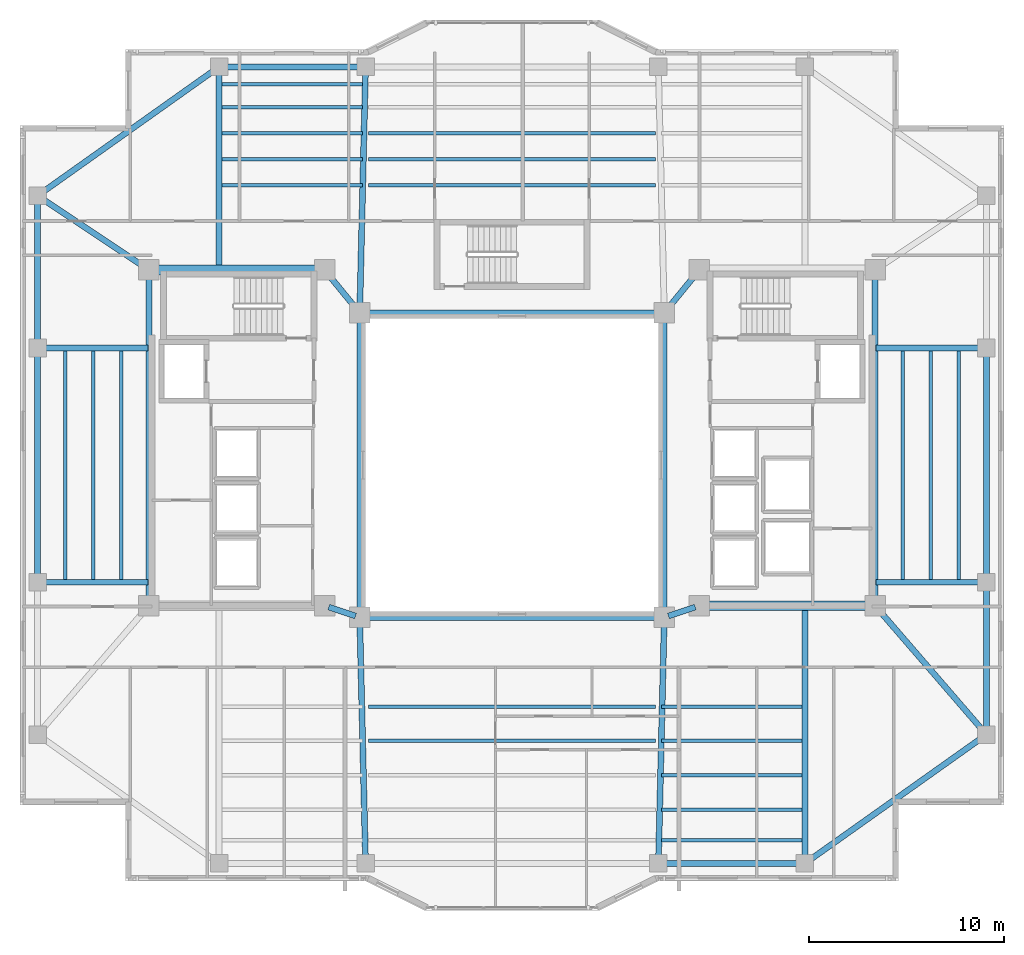
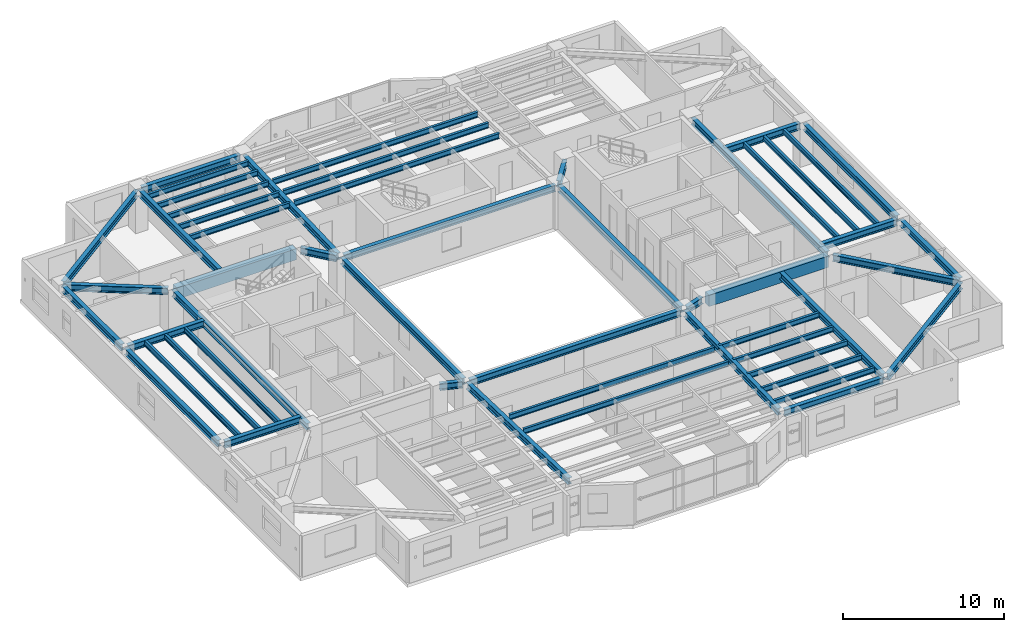
# One storey, part 3 of 15: 52 beams.
"""IFC4 building model written with IfcOpenShell, lengths in metres."""

from ifc_helpers import new_model, si_unit, direction, frame, origin, origin_2d, place, context, subcontext, project, spatial, rectangle, i_section, extrude, material, material_profile, profile_set, type_object, element, save


model = new_model("IFC4")

# Units and contexts
model_context = context("Model", 3, precision=1e-05, world=origin(), true_north=direction((0.0, 1.0)))
body_context = subcontext(model_context, "Body", "Model", "MODEL_VIEW")
ifc_project = project(units=[si_unit("LENGTHUNIT", "METRE"), si_unit("AREAUNIT", "SQUARE_METRE"), si_unit("VOLUMEUNIT", "CUBIC_METRE"), si_unit("PLANEANGLEUNIT", "RADIAN"), si_unit("MASSUNIT", "GRAM", prefix="KILO")], contexts=[model_context])

# Site, building, storey
site_placement = place(None, origin())
site = spatial("IfcSite", under=ifc_project, at=site_placement, CompositionType="ELEMENT")
building_placement = place(site_placement, origin())
building = spatial("IfcBuilding", under=site, at=building_placement, Name="Tarnavaz Court Tower", CompositionType="ELEMENT")
storey_placement = place(building_placement, frame((0.0, 0.0, 142.64990234375)))
storey = spatial("IfcBuildingStorey", under=building, at=storey_placement, Name="L38", CompositionType="ELEMENT", Elevation=142.64990234375)

# Beams
ifc_material_1 = material(Name="Concrete C50/60", Category="concrete")
ifc_material_profile_1 = material_profile(ifc_material_1, rectangle(XDim=0.5, YDim=0.85009765625, at=origin_2d()), Name="RC 500X850")
ifc_profile_set_1 = profile_set([ifc_material_profile_1], Name="Concrete C50/60")
beam_type_1 = type_object("IfcBeamType", Name="BM-CB850", PredefinedType="LINTEL", material=ifc_profile_set_1)
for number, where, z_axis, x_axis, name in (
    (1, (-18.3798828125, 10.0, 2.675048828125), (1.0, 0.0, 0.0), (0.0, 1.0, 0.0), "L38 Beam IN-CW-NO-CW-NI"),
    (2, (18.3798828125, -7.199951171875, 2.675048828125), (-1.0, 0.0, 0.0), (0.0, -1.0, 0.0), "L38 Beam IN-CE-SO-CE-SI"),
):
    element("IfcBeam", number, at=place(storey_placement, frame(where, z_axis=z_axis, x_axis=x_axis)), inside=storey, type_object=beam_type_1, Name=name, PredefinedType="LINTEL", context=body_context, shape_type="SweptSolid", body=[
        extrude(rectangle(XDim=0.5, YDim=0.85009765625, at=origin_2d()), origin(), (0.0, 0.0, 1.0), 8.559814453125),
    ])
ifc_material_2 = material(Name="Steel S355", Category="steel")
ifc_material_profile_2 = material_profile(ifc_material_2, i_section(OverallWidth=0.300048828125, OverallDepth=0.5, WebThickness=0.014404296875, FlangeThickness=0.028076171875, FilletRadius=0.027099609375, at=origin_2d()), Name="HEB 500")
ifc_profile_set_2 = profile_set([ifc_material_profile_2], Name="Steel S355")
beam_type_2 = type_object("IfcBeamType", Name="BM-G-HEB500", PredefinedType="USERDEFINED", material=ifc_profile_set_2)
for number, where, z_axis, x_axis, name in (
    (3, (-9.391357421875, -7.26953125, 2.85009765625), (0.948666544706, -0.316278021615, 0.0), (0.316278021615, 0.948666544706, 0.0), "L38 Beam IN-CW-SI-IW-SW"),
    (4, (9.391357421875, -7.26953125, 2.85009765625), (-0.948666544706, -0.316278021615, 0.0), (0.316278021615, -0.948666544706, 0.0), "L38 Beam IN-CE-SI-IW-SE"),
):
    element("IfcBeam", number, at=place(storey_placement, frame(where, z_axis=z_axis, x_axis=x_axis)), inside=storey, type_object=beam_type_2, Name=name, ObjectType="GIRDER", PredefinedType="USERDEFINED", context=body_context, shape_type="SweptSolid", body=[
        extrude(i_section(OverallWidth=0.300048828125, OverallDepth=0.5, WebThickness=0.014404296875, FlangeThickness=0.028076171875, FilletRadius=0.027099609375, at=origin_2d()), origin(), (0.0, 0.0, 1.0), 1.457275390625),
    ])
for number, where, z_axis, x_axis, name in (
    (5, (-9.460693359375, 9.82958984375, 2.85009765625), (0.633282058357, -0.773921077735, 0.0), (0.773921077735, 0.633282058357, 0.0), "L38 Beam IN-CW-NI-IW-NW"),
    (6, (9.460693359375, 9.82958984375, 2.85009765625), (-0.633282058357, -0.773921077735, 0.0), (0.773921077735, -0.633282058357, 0.0), "L38 Beam IN-CE-NI-IW-NE"),
):
    element("IfcBeam", number, at=place(storey_placement, frame(where, z_axis=z_axis, x_axis=x_axis)), inside=storey, type_object=beam_type_2, Name=name, ObjectType="GIRDER", PredefinedType="USERDEFINED", context=body_context, shape_type="SweptSolid", body=[
        extrude(i_section(OverallWidth=0.300048828125, OverallDepth=0.5, WebThickness=0.014404296875, FlangeThickness=0.028076171875, FilletRadius=0.027099609375, at=origin_2d()), origin(), (0.0, 0.0, 1.0), 2.402587890625),
    ])
for number, where, z_axis, x_axis, name in (
    (7, (-18.60009765625, -6.97998046875, 2.85009765625), (0.0, 1.0, 0.0), (-1.0, 0.0, 0.0), "L38 Beam IN-CW-SO-CW-NO"),
    (8, (18.60009765625, -6.97998046875, 2.85009765625), (0.0, 1.0, 0.0), (-1.0, 0.0, 0.0), "L38 Beam IN-CE-SO-CE-NO"),
):
    element("IfcBeam", number, at=place(storey_placement, frame(where, z_axis=z_axis, x_axis=x_axis)), inside=storey, type_object=beam_type_2, Name=name, ObjectType="GIRDER", PredefinedType="USERDEFINED", context=body_context, shape_type="SweptSolid", body=[
        extrude(i_section(OverallWidth=0.300048828125, OverallDepth=0.5, WebThickness=0.014404296875, FlangeThickness=0.028076171875, FilletRadius=0.027099609375, at=origin_2d()), origin(), (0.0, 0.0, 1.0), 16.760009765625),
    ])
beam_1_placement = place(storey_placement, frame((-15.0, 10.0400390625, 2.85009765625), z_axis=(0.0, 1.0, 0.0), x_axis=(-1.0, 0.0, 0.0)))
element("IfcBeam", 9, at=beam_1_placement, inside=storey, type_object=beam_type_2, Name="L38 Beam RG-01", ObjectType="GIRDER", PredefinedType="USERDEFINED", context=body_context, shape_type="SweptSolid", body=[
    extrude(i_section(OverallWidth=0.300048828125, OverallDepth=0.5, WebThickness=0.014404296875, FlangeThickness=0.028076171875, FilletRadius=0.027099609375, at=origin_2d()), origin(), (0.0, 0.0, 1.0), 10.139892578125),
])
for number, where, z_axis, x_axis, name in (
    (10, (-7.794921875, 8.02001953125, 2.85009765625), (0.023824748444, 0.999716150395, 0.0), (-0.999716150395, 0.023824748444, 0.0), "L38 Beam RG-02"),
    (11, (-7.794921875, -8.02001953125, 2.85009765625), (0.023824748444, -0.999716150395, 0.0), (0.999716150395, 0.023824748444, 0.0), "L38 Beam RG-06"),
    (12, (7.794921875, -8.02001953125, 2.85009765625), (-0.023824748444, -0.999716150395, 0.0), (0.999716150395, -0.023824748444, 0.0), "L38 Beam RG-07"),
):
    element("IfcBeam", number, at=place(storey_placement, frame(where, z_axis=z_axis, x_axis=x_axis)), inside=storey, type_object=beam_type_2, Name=name, ObjectType="GIRDER", PredefinedType="USERDEFINED", context=body_context, shape_type="SweptSolid", body=[
        extrude(i_section(OverallWidth=0.300048828125, OverallDepth=0.5, WebThickness=0.014404296875, FlangeThickness=0.028076171875, FilletRadius=0.027099609375, at=origin_2d()), origin(), (0.0, 0.0, 1.0), 12.16357421875),
    ])
beam_2_placement = place(storey_placement, frame((15.0, -7.239990234375, 2.85009765625), z_axis=(0.0, -1.0, 0.0), x_axis=(1.0, 0.0, 0.0)))
element("IfcBeam", 13, at=beam_2_placement, inside=storey, type_object=beam_type_2, Name="L38 Beam RG-08", ObjectType="GIRDER", PredefinedType="USERDEFINED", context=body_context, shape_type="SweptSolid", body=[
    extrude(i_section(OverallWidth=0.300048828125, OverallDepth=0.5, WebThickness=0.014404296875, FlangeThickness=0.028076171875, FilletRadius=0.027099609375, at=origin_2d()), origin(), (0.0, 0.0, 1.0), 12.93994140625),
])
for number, where, z_axis, x_axis, name in (
    (14, (18.639892578125, -6.0, 2.85009765625), (1.0, 0.0, 0.0), (0.0, 1.0, 0.0), "L38 Beam RG-09"),
    (15, (18.639892578125, 6.0, 2.85009765625), (1.0, 0.0, 0.0), (0.0, 1.0, 0.0), "L38 Beam RG-10"),
):
    element("IfcBeam", number, at=place(storey_placement, frame(where, z_axis=z_axis, x_axis=x_axis)), inside=storey, type_object=beam_type_2, Name=name, ObjectType="GIRDER", PredefinedType="USERDEFINED", context=body_context, shape_type="SweptSolid", body=[
        extrude(i_section(OverallWidth=0.300048828125, OverallDepth=0.5, WebThickness=0.014404296875, FlangeThickness=0.028076171875, FilletRadius=0.027099609375, at=origin_2d()), origin(), (0.0, 0.0, 1.0), 5.440185546875),
    ])
beam_3_placement = place(storey_placement, frame((18.743896484375, -7.366455078125, 2.85009765625), z_axis=(0.653610659012, -0.756830962914, 0.0), x_axis=(0.756830962914, 0.653610659012, 0.0)))
element("IfcBeam", 16, at=beam_3_placement, inside=storey, type_object=beam_type_2, Name="L38 Beam RG-11", ObjectType="GIRDER", PredefinedType="USERDEFINED", context=body_context, shape_type="SweptSolid", body=[
    extrude(i_section(OverallWidth=0.300048828125, OverallDepth=0.5, WebThickness=0.014404296875, FlangeThickness=0.028076171875, FilletRadius=0.027099609375, at=origin_2d()), origin(), (0.0, 0.0, 1.0), 8.28076171875),
])
for number, where, z_axis, x_axis, name in (
    (17, (-18.639892578125, -6.0, 2.85009765625), (-1.0, 0.0, 0.0), (0.0, -1.0, 0.0), "L38 Beam RG-13"),
    (18, (-18.639892578125, 6.0, 2.85009765625), (-1.0, 0.0, 0.0), (0.0, -1.0, 0.0), "L38 Beam RG-14"),
):
    element("IfcBeam", number, at=place(storey_placement, frame(where, z_axis=z_axis, x_axis=x_axis)), inside=storey, type_object=beam_type_2, Name=name, ObjectType="GIRDER", PredefinedType="USERDEFINED", context=body_context, shape_type="SweptSolid", body=[
        extrude(i_section(OverallWidth=0.300048828125, OverallDepth=0.5, WebThickness=0.014404296875, FlangeThickness=0.028076171875, FilletRadius=0.027099609375, at=origin_2d()), origin(), (0.0, 0.0, 1.0), 5.440185546875),
    ])
beam_4_placement = place(storey_placement, frame((-18.783203125, 10.1220703125, 2.85009765625), z_axis=(-0.832044435051, 0.554708985056, 0.0), x_axis=(-0.554708985056, -0.832044435051, 0.0)))
element("IfcBeam", 19, at=beam_4_placement, inside=storey, type_object=beam_type_2, Name="L38 Beam RG-16", ObjectType="GIRDER", PredefinedType="USERDEFINED", context=body_context, shape_type="SweptSolid", body=[
    extrude(i_section(OverallWidth=0.300048828125, OverallDepth=0.5, WebThickness=0.014404296875, FlangeThickness=0.028076171875, FilletRadius=0.027099609375, at=origin_2d()), origin(), (0.0, 0.0, 1.0), 6.410400390625),
])
ifc_material_profile_3 = material_profile(ifc_material_2, i_section(OverallWidth=0.179931640625, OverallDepth=0.39990234375, WebThickness=0.008544921875, FlangeThickness=0.013427734375, FilletRadius=0.02099609375, at=origin_2d()), Name="IPE 400")
ifc_profile_set_3 = profile_set([ifc_material_profile_3], Name="Steel S355")
beam_type_3 = type_object("IfcBeamType", Name="BM-J-IPE400", PredefinedType="JOIST", material=ifc_profile_set_3)
beam_5_placement = place(storey_placement, frame((-14.85009765625, 14.33203125, 2.900146484375), z_axis=(1.0, 0.0, 0.0), x_axis=(0.0, 1.0, 0.0)))
element("IfcBeam", 20, at=beam_5_placement, inside=storey, type_object=beam_type_3, Name="L38 Beam JN1-1", PredefinedType="JOIST", context=body_context, shape_type="SweptSolid", body=[
    extrude(i_section(OverallWidth=0.179931640625, OverallDepth=0.39990234375, WebThickness=0.008544921875, FlangeThickness=0.013427734375, FilletRadius=0.02099609375, at=origin_2d()), origin(), (0.0, 0.0, 1.0), 7.2001953125),
])
for number, where, z_axis, x_axis, name in (
    (21, (-7.35009765625, 14.33203125, 2.900146484375), (1.0, 0.0, 0.0), (0.0, 1.0, 0.0), "L38 Beam JN1-2"),
    (22, (-7.35009765625, -12.364013671875, 2.900146484375), (1.0, 0.0, 0.0), (0.0, 1.0, 0.0), "L38 Beam JS1-2"),
):
    element("IfcBeam", number, at=place(storey_placement, frame(where, z_axis=z_axis, x_axis=x_axis)), inside=storey, type_object=beam_type_3, Name=name, PredefinedType="JOIST", context=body_context, shape_type="SweptSolid", body=[
        extrude(i_section(OverallWidth=0.179931640625, OverallDepth=0.39990234375, WebThickness=0.008544921875, FlangeThickness=0.013427734375, FilletRadius=0.02099609375, at=origin_2d()), origin(), (0.0, 0.0, 1.0), 14.7001953125),
    ])
for number, where, z_axis, x_axis, name in (
    (23, (7.64990234375, -12.364013671875, 2.900146484375), (1.0, 0.0, 0.0), (0.0, 1.0, 0.0), "L38 Beam JS1-3"),
    (24, (-14.85009765625, 15.6640625, 2.900146484375), (1.0, 0.0, 0.0), (0.0, 1.0, 0.0), "L38 Beam JN2-1"),
):
    element("IfcBeam", number, at=place(storey_placement, frame(where, z_axis=z_axis, x_axis=x_axis)), inside=storey, type_object=beam_type_3, Name=name, PredefinedType="JOIST", context=body_context, shape_type="SweptSolid", body=[
        extrude(i_section(OverallWidth=0.179931640625, OverallDepth=0.39990234375, WebThickness=0.008544921875, FlangeThickness=0.013427734375, FilletRadius=0.02099609375, at=origin_2d()), origin(), (0.0, 0.0, 1.0), 7.2001953125),
    ])
for number, where, z_axis, x_axis, name in (
    (25, (-7.35009765625, 15.6640625, 2.900146484375), (1.0, 0.0, 0.0), (0.0, 1.0, 0.0), "L38 Beam JN2-2"),
    (26, (-7.35009765625, -14.1279296875, 2.900146484375), (1.0, 0.0, 0.0), (0.0, 1.0, 0.0), "L38 Beam JS2-2"),
):
    element("IfcBeam", number, at=place(storey_placement, frame(where, z_axis=z_axis, x_axis=x_axis)), inside=storey, type_object=beam_type_3, Name=name, PredefinedType="JOIST", context=body_context, shape_type="SweptSolid", body=[
        extrude(i_section(OverallWidth=0.179931640625, OverallDepth=0.39990234375, WebThickness=0.008544921875, FlangeThickness=0.013427734375, FilletRadius=0.02099609375, at=origin_2d()), origin(), (0.0, 0.0, 1.0), 14.7001953125),
    ])
for number, where, z_axis, x_axis, name in (
    (27, (7.64990234375, -14.1279296875, 2.900146484375), (1.0, 0.0, 0.0), (0.0, 1.0, 0.0), "L38 Beam JS2-3"),
    (28, (-14.85009765625, 16.99609375, 2.900146484375), (1.0, 0.0, 0.0), (0.0, 1.0, 0.0), "L38 Beam JN3-1"),
):
    element("IfcBeam", number, at=place(storey_placement, frame(where, z_axis=z_axis, x_axis=x_axis)), inside=storey, type_object=beam_type_3, Name=name, PredefinedType="JOIST", context=body_context, shape_type="SweptSolid", body=[
        extrude(i_section(OverallWidth=0.179931640625, OverallDepth=0.39990234375, WebThickness=0.008544921875, FlangeThickness=0.013427734375, FilletRadius=0.02099609375, at=origin_2d()), origin(), (0.0, 0.0, 1.0), 7.2001953125),
    ])
beam_6_placement = place(storey_placement, frame((-7.35009765625, 16.99609375, 2.900146484375), z_axis=(1.0, 0.0, 0.0), x_axis=(0.0, 1.0, 0.0)))
element("IfcBeam", 29, at=beam_6_placement, inside=storey, type_object=beam_type_3, Name="L38 Beam JN3-2", PredefinedType="JOIST", context=body_context, shape_type="SweptSolid", body=[
    extrude(i_section(OverallWidth=0.179931640625, OverallDepth=0.39990234375, WebThickness=0.008544921875, FlangeThickness=0.013427734375, FilletRadius=0.02099609375, at=origin_2d()), origin(), (0.0, 0.0, 1.0), 14.7001953125),
])
for number, where, z_axis, x_axis, name in (
    (30, (7.64990234375, -15.89208984375, 2.900146484375), (1.0, 0.0, 0.0), (0.0, 1.0, 0.0), "L38 Beam JS3-3"),
    (31, (-14.85009765625, 18.327880859375, 2.900146484375), (1.0, 0.0, 0.0), (0.0, 1.0, 0.0), "L38 Beam JN4-1"),
    (32, (7.64990234375, -17.656005859375, 2.900146484375), (1.0, 0.0, 0.0), (0.0, 1.0, 0.0), "L38 Beam JS4-3"),
    (33, (-14.85009765625, 19.511962890625, 2.900146484375), (1.0, 0.0, 0.0), (0.0, 1.0, 0.0), "L38 Beam JN5-1"),
    (34, (7.64990234375, -19.22412109375, 2.900146484375), (1.0, 0.0, 0.0), (0.0, 1.0, 0.0), "L38 Beam JS5-3"),
):
    element("IfcBeam", number, at=place(storey_placement, frame(where, z_axis=z_axis, x_axis=x_axis)), inside=storey, type_object=beam_type_3, Name=name, PredefinedType="JOIST", context=body_context, shape_type="SweptSolid", body=[
        extrude(i_section(OverallWidth=0.179931640625, OverallDepth=0.39990234375, WebThickness=0.008544921875, FlangeThickness=0.013427734375, FilletRadius=0.02099609375, at=origin_2d()), origin(), (0.0, 0.0, 1.0), 7.2001953125),
    ])
for number, where, z_axis, x_axis, name in (
    (35, (20.02490234375, -5.9599609375, 2.900146484375), (0.0, 1.0, 0.0), (-1.0, 0.0, 0.0), "L38 Beam JE1"),
    (36, (-20.02490234375, -5.9599609375, 2.900146484375), (0.0, 1.0, 0.0), (-1.0, 0.0, 0.0), "L38 Beam JW1"),
    (37, (21.449951171875, -5.9599609375, 2.900146484375), (0.0, 1.0, 0.0), (-1.0, 0.0, 0.0), "L38 Beam JE2"),
    (38, (-21.449951171875, -5.9599609375, 2.900146484375), (0.0, 1.0, 0.0), (-1.0, 0.0, 0.0), "L38 Beam JW2"),
    (39, (22.875, -5.9599609375, 2.900146484375), (0.0, 1.0, 0.0), (-1.0, 0.0, 0.0), "L38 Beam JE3"),
    (40, (-22.875, -5.9599609375, 2.900146484375), (0.0, 1.0, 0.0), (-1.0, 0.0, 0.0), "L38 Beam JW3"),
):
    element("IfcBeam", number, at=place(storey_placement, frame(where, z_axis=z_axis, x_axis=x_axis)), inside=storey, type_object=beam_type_3, Name=name, PredefinedType="JOIST", context=body_context, shape_type="SweptSolid", body=[
        extrude(i_section(OverallWidth=0.179931640625, OverallDepth=0.39990234375, WebThickness=0.008544921875, FlangeThickness=0.013427734375, FilletRadius=0.02099609375, at=origin_2d()), origin(), (0.0, 0.0, 1.0), 11.919921875),
    ])
ifc_material_profile_4 = material_profile(ifc_material_2, i_section(OverallWidth=0.300048828125, OverallDepth=0.489990234375, WebThickness=0.011962890625, FlangeThickness=0.02294921875, FilletRadius=0.027099609375, at=origin_2d()), Name="HEA 500")
ifc_profile_set_4 = profile_set([ifc_material_profile_4], Name="Steel S355")
beam_type_4 = type_object("IfcBeamType", Name="BM-SP-HEA500", PredefinedType="SPANDREL", material=ifc_profile_set_4)
for number, where, z_axis, x_axis, name in (
    (41, (-7.580078125, -7.800048828125, 2.85498046875), (1.0, 0.0, 0.0), (0.0, 1.0, 0.0), "L38 Beam IN-IW-SW-IW-SE"),
    (42, (-7.580078125, 7.800048828125, 2.85498046875), (1.0, 0.0, 0.0), (0.0, 1.0, 0.0), "L38 Beam IN-IW-NW-IW-NE"),
    (43, (-7.800048828125, -7.580078125, 2.85498046875), (0.0, 1.0, 0.0), (-1.0, 0.0, 0.0), "L38 Beam IN-IW-SW-IW-NW"),
    (44, (7.800048828125, -7.580078125, 2.85498046875), (0.0, 1.0, 0.0), (-1.0, 0.0, 0.0), "L38 Beam IN-IW-SE-IW-NE"),
):
    element("IfcBeam", number, at=place(storey_placement, frame(where, z_axis=z_axis, x_axis=x_axis)), inside=storey, type_object=beam_type_4, Name=name, PredefinedType="SPANDREL", context=body_context, shape_type="SweptSolid", body=[
        extrude(i_section(OverallWidth=0.300048828125, OverallDepth=0.489990234375, WebThickness=0.011962890625, FlangeThickness=0.02294921875, FilletRadius=0.027099609375, at=origin_2d()), origin(), (0.0, 0.0, 1.0), 15.16015625),
    ])
for number, where, z_axis, x_axis, name in (
    (45, (-14.780029296875, 20.39990234375, 2.85498046875), (1.0, 0.0, 0.0), (0.0, 1.0, 0.0), "L38 Beam PR-PN-1-PN-2"),
    (46, (7.719970703125, -20.39990234375, 2.85498046875), (1.0, 0.0, 0.0), (0.0, 1.0, 0.0), "L38 Beam PR-PS-3-PS-4"),
):
    element("IfcBeam", number, at=place(storey_placement, frame(where, z_axis=z_axis, x_axis=x_axis)), inside=storey, type_object=beam_type_4, Name=name, PredefinedType="SPANDREL", context=body_context, shape_type="SweptSolid", body=[
        extrude(i_section(OverallWidth=0.300048828125, OverallDepth=0.489990234375, WebThickness=0.011962890625, FlangeThickness=0.02294921875, FilletRadius=0.027099609375, at=origin_2d()), origin(), (0.0, 0.0, 1.0), 7.06005859375),
    ])
beam_7_placement = place(storey_placement, frame((24.300048828125, -13.580078125, 2.85498046875), z_axis=(0.0, 1.0, 0.0), x_axis=(-1.0, 0.0, 0.0)))
element("IfcBeam", 47, at=beam_7_placement, inside=storey, type_object=beam_type_4, Name="L38 Beam PR-PE-1-PE-2", PredefinedType="SPANDREL", context=body_context, shape_type="SweptSolid", body=[
    extrude(i_section(OverallWidth=0.300048828125, OverallDepth=0.489990234375, WebThickness=0.011962890625, FlangeThickness=0.02294921875, FilletRadius=0.027099609375, at=origin_2d()), origin(), (0.0, 0.0, 1.0), 7.360107421875),
])
for number, where, z_axis, x_axis, name in (
    (48, (24.300048828125, -5.780029296875, 2.85498046875), (0.0, 1.0, 0.0), (-1.0, 0.0, 0.0), "L38 Beam PR-PE-2-PE-3"),
    (49, (-24.300048828125, -5.780029296875, 2.85498046875), (0.0, 1.0, 0.0), (-1.0, 0.0, 0.0), "L38 Beam PR-PW-2-PW-3"),
):
    element("IfcBeam", number, at=place(storey_placement, frame(where, z_axis=z_axis, x_axis=x_axis)), inside=storey, type_object=beam_type_4, Name=name, PredefinedType="SPANDREL", context=body_context, shape_type="SweptSolid", body=[
        extrude(i_section(OverallWidth=0.300048828125, OverallDepth=0.489990234375, WebThickness=0.011962890625, FlangeThickness=0.02294921875, FilletRadius=0.027099609375, at=origin_2d()), origin(), (0.0, 0.0, 1.0), 11.56005859375),
    ])
beam_8_placement = place(storey_placement, frame((-24.300048828125, 6.219970703125, 2.85498046875), z_axis=(0.0, 1.0, 0.0), x_axis=(-1.0, 0.0, 0.0)))
element("IfcBeam", 50, at=beam_8_placement, inside=storey, type_object=beam_type_4, Name="L38 Beam PR-PW-3-PW-4", PredefinedType="SPANDREL", context=body_context, shape_type="SweptSolid", body=[
    extrude(i_section(OverallWidth=0.300048828125, OverallDepth=0.489990234375, WebThickness=0.011962890625, FlangeThickness=0.02294921875, FilletRadius=0.027099609375, at=origin_2d()), origin(), (0.0, 0.0, 1.0), 7.360107421875),
])
for number, where, z_axis, x_axis, name in (
    (51, (24.12060546875, -13.92724609375, 2.85498046875), (-0.815502059396, -0.57875417158, 0.0), (0.57875417158, -0.815502059396, 0.0), "L38 Beam PR-PE-1-PS-4"),
    (52, (-24.12060546875, 13.92724609375, 2.85498046875), (0.815502059396, 0.57875417158, 0.0), (-0.57875417158, 0.815502059396, 0.0), "L38 Beam PR-PW-4-PN-1"),
):
    element("IfcBeam", number, at=place(storey_placement, frame(where, z_axis=z_axis, x_axis=x_axis)), inside=storey, type_object=beam_type_4, Name=name, PredefinedType="SPANDREL", context=body_context, shape_type="SweptSolid", body=[
        extrude(i_section(OverallWidth=0.300048828125, OverallDepth=0.489990234375, WebThickness=0.011962890625, FlangeThickness=0.02294921875, FilletRadius=0.027099609375, at=origin_2d()), origin(), (0.0, 0.0, 1.0), 10.964111328125),
    ])

save(model, "model.ifc")
